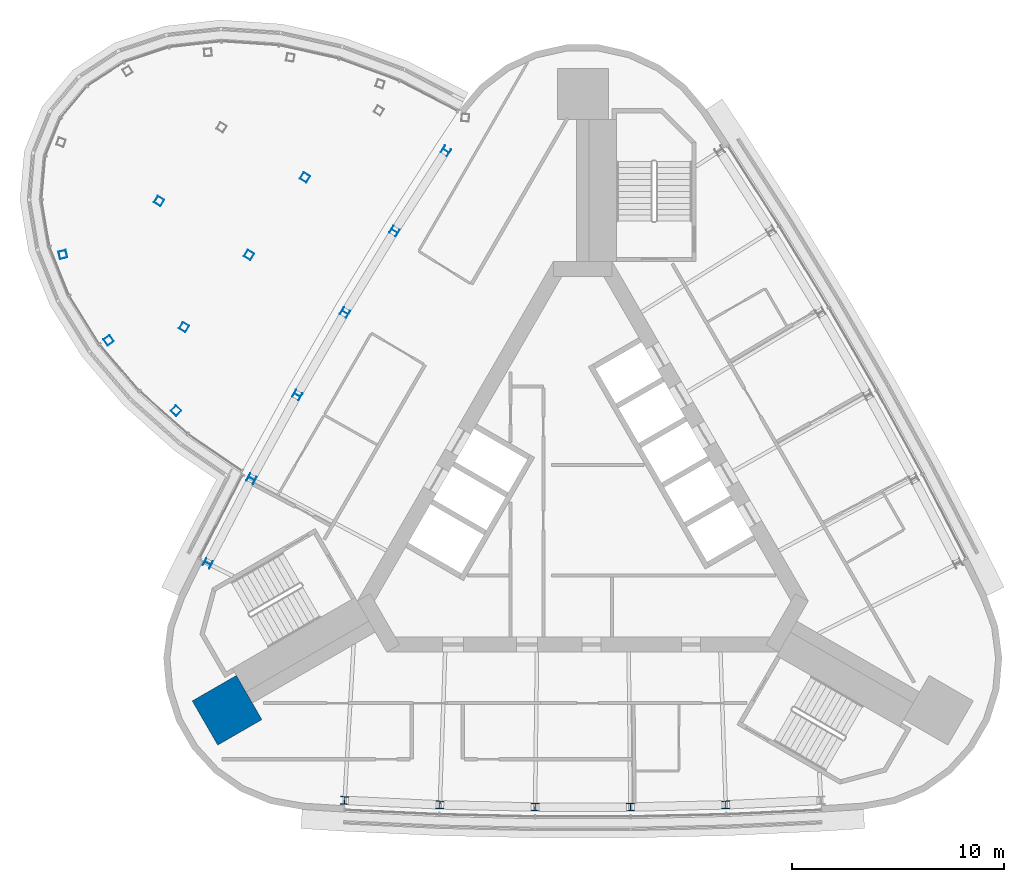
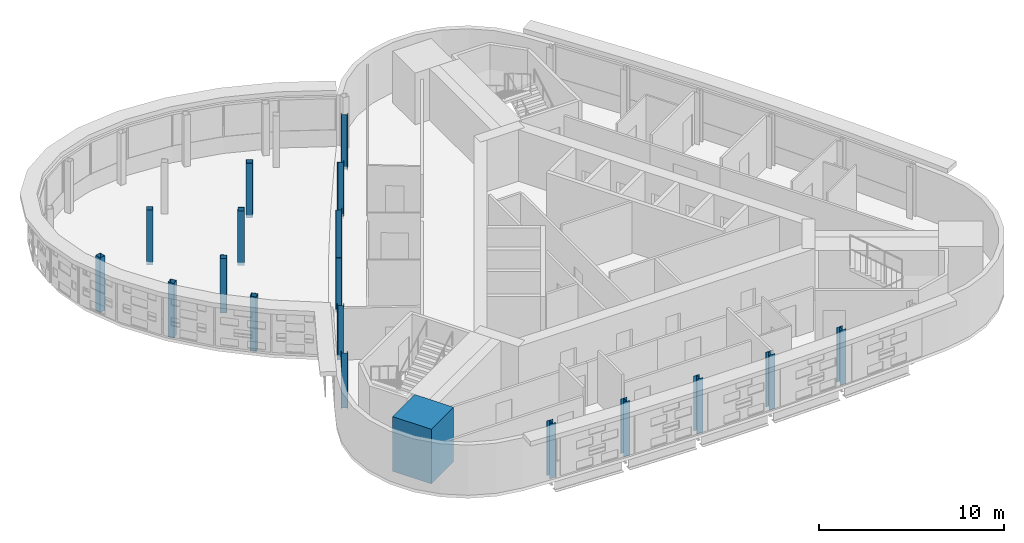
# One storey, part 1 of 13: 19 columns.
"""IFC4 building model written with IfcOpenShell, lengths in metres."""

from ifc_helpers import new_model, si_unit, direction, frame, origin, origin_2d, place, context, subcontext, project, spatial, rectangle, hollow_rectangle, i_section, extrude, material, material_profile, profile_set, type_object, element, save


model = new_model("IFC4")

# Units and contexts
model_context = context("Model", 3, precision=1e-05, world=origin(), true_north=direction((0.0, 1.0)))
body_context = subcontext(model_context, "Body", "Model", "MODEL_VIEW")
ifc_project = project(units=[si_unit("LENGTHUNIT", "METRE"), si_unit("AREAUNIT", "SQUARE_METRE"), si_unit("VOLUMEUNIT", "CUBIC_METRE"), si_unit("PLANEANGLEUNIT", "RADIAN"), si_unit("MASSUNIT", "GRAM", prefix="KILO")], contexts=[model_context])

# Site, building, storey
site_placement = place(None, origin())
site = spatial("IfcSite", under=ifc_project, at=site_placement, CompositionType="ELEMENT")
building_placement = place(site_placement, origin())
building = spatial("IfcBuilding", under=site, at=building_placement, Name="Noor Cloister Tower", CompositionType="ELEMENT")
storey_placement = place(building_placement, frame((0.0, 0.0, 263.39990234375)))
storey = spatial("IfcBuildingStorey", under=building, at=storey_placement, Name="L67", CompositionType="ELEMENT", Elevation=263.39990234375)

# Columns
ifc_material_1 = material(Name="Steel ASTM A992 Gr 50", Category="steel")
ifc_material_profile_1 = material_profile(ifc_material_1, i_section(OverallWidth=0.37109375, OverallDepth=0.361083984375, WebThickness=0.01220703125, FlangeThickness=0.019775390625, FilletRadius=0.015380859375, at=origin_2d()), Name="W360x147")
ifc_profile_set_1 = profile_set([ifc_material_profile_1], Name="Steel ASTM A992 Gr 50")
column_type_1 = type_object("IfcColumnType", Name="Column W360x147", PredefinedType="COLUMN", material=ifc_profile_set_1)
for number, where, z_axis, x_axis, name in (
    (1, (-6.441650390625, 16.66552734375, -0.199951171875), (0.0, 0.0, 1.0), (-0.549344612048, -0.835595893488, 0.0), "Column NW 01 L67"),
    (2, (-8.863037109375, 12.8876953125, -0.199951171875), (0.0, 0.0, 1.0), (-0.529819164802, -0.84811063701, 0.0), "Column NW 02 L67"),
    (3, (-11.196044921875, 9.0546875, -0.199951171875), (0.0, 0.0, 1.0), (-0.51000874803, -0.860169214127, 0.0), "Column NW 03 L67"),
    (4, (-13.439697265625, 5.168701171875, -0.199951171875), (0.0, 0.0, 1.0), (-0.489924016972, -0.87176513901, 0.0), "Column NW 04 L67"),
    (5, (-15.592529296875, 1.231689453125, -0.199951171875), (0.0, 0.0, 1.0), (-0.469575774469, -0.882892174635, 0.0), "Column NW 05 L67"),
    (6, (-17.653564453125, -2.75390625, -0.199951171875), (0.0, 0.0, 1.0), (-0.448974965035, -0.893544336209, 0.0), "Column NW 06 L67"),
    (7, (-11.2119140625, -13.911376953125, -0.199951171875), (0.0, 0.0, 1.0), (0.998319577082, -0.057948442721, 0.0), "Column S 01 L67"),
    (8, (-6.7294921875, -14.119384765625, -0.199951171875), (0.0, 0.0, 1.0), (0.999394939271, -0.034781537625, 0.0), "Column S 02 L67"),
    (9, (-2.24365234375, -14.2236328125, -0.199951171875), (0.0, 0.0, 1.0), (0.999932765003, -0.011595924883, 0.0), "Column S 03 L67"),
    (10, (2.24365234375, -14.2236328125, -0.199951171875), (0.0, 0.0, 1.0), (0.999932765003, 0.011595924883, 0.0), "Column S 04 L67"),
    (11, (6.7294921875, -14.119384765625, -0.199951171875), (0.0, 0.0, 1.0), (0.999394939271, 0.034781537625, 0.0), "Column S 05 L67"),
):
    element("IfcColumn", number, at=place(storey_placement, frame(where, z_axis=z_axis, x_axis=x_axis)), inside=storey, type_object=column_type_1, Name=name, PredefinedType="COLUMN", context=body_context, shape_type="SweptSolid", body=[
        extrude(i_section(OverallWidth=0.37109375, OverallDepth=0.361083984375, WebThickness=0.01220703125, FlangeThickness=0.019775390625, FilletRadius=0.015380859375, at=origin_2d()), origin(), (0.0, 0.0, 1.0), 3.60009765625),
    ])
ifc_material_2 = material(Name="Concrete C60/75", Category="concrete")
ifc_material_profile_2 = material_profile(ifc_material_2, rectangle(XDim=2.39990234375, YDim=2.39990234375, at=origin_2d()), Name="RC 2400x2400")
ifc_profile_set_2 = profile_set([ifc_material_profile_2], Name="Concrete C60/75")
column_type_2 = type_object("IfcColumnType", Name="Corner pier 2400 x 2400 C60/75", PredefinedType="COLUMN", material=ifc_profile_set_2)
column_placement = place(storey_placement, frame((-16.74462890625, -9.66748046875, -0.199951171875), z_axis=(0.0, 0.0, 1.0), x_axis=(-0.866025403784, -0.5, 0.0)))
element("IfcColumn", 12, at=column_placement, inside=storey, type_object=column_type_2, Name="Corner pier SW L67", PredefinedType="COLUMN", context=body_context, shape_type="SweptSolid", body=[
    extrude(rectangle(XDim=2.39990234375, YDim=2.39990234375, at=origin_2d()), origin(), (0.0, 0.0, 1.0), 3.60009765625),
])
ifc_material_3 = material(Name="Steel ASTM A500 Gr C", Category="steel")
ifc_material_profile_3 = material_profile(ifc_material_3, hollow_rectangle(XDim=0.35595703125, YDim=0.35595703125, WallThickness=0.0126953125, at=origin_2d()), Name="HSS355.6x355.6x12.7")
ifc_profile_set_3 = profile_set([ifc_material_profile_3], Name="Steel ASTM A500 Gr C")
column_type_3 = type_object("IfcColumnType", Name="Pod post HSS355.6x355.6x12.7", PredefinedType="COLUMN", material=ifc_profile_set_3)
for number, where, z_axis, x_axis, name in (
    (13, (-13.078125, 15.416015625, -0.199951171875), (0.0, 0.0, 1.0), (-0.857566798966, 0.514372613299, 0.0), "Pod post 5 L67 line 2 node 1"),
    (14, (-15.7119140625, 11.763427734375, -0.199951171875), (0.0, 0.0, 1.0), (-0.857566798966, 0.514372613299, 0.0), "Pod post 5 L67 line 3 node 1"),
    (15, (-19.94140625, 14.30029296875, -0.199951171875), (0.0, 0.0, 1.0), (-0.857566798966, 0.514372613299, 0.0), "Pod post 5 L67 line 3 node 2"),
    (16, (-18.767578125, 8.364501953125, -0.199951171875), (0.0, 0.0, 1.0), (-0.857566798966, 0.514372613299, 0.0), "Pod post 5 L67 line 4 node 1"),
    (17, (-24.47216796875, 11.7861328125, -0.199951171875), (0.0, 0.0, 1.0), (0.233734517984, -0.972300455159, 0.0), "Pod post 5 L67 ring 8"),
    (18, (-22.318603515625, 7.746826171875, -0.199951171875), (0.0, 0.0, 1.0), (0.586560041974, -0.809905745849, 0.0), "Pod post 5 L67 ring 9"),
    (19, (-19.146728515625, 4.432861328125, -0.199951171875), (0.0, 0.0, 1.0), (0.71780948833, -0.696239569734, 0.0), "Pod post 5 L67 ring 10"),
):
    element("IfcColumn", number, at=place(storey_placement, frame(where, z_axis=z_axis, x_axis=x_axis)), inside=storey, type_object=column_type_3, Name=name, PredefinedType="COLUMN", context=body_context, shape_type="SweptSolid", body=[
        extrude(hollow_rectangle(XDim=0.35595703125, YDim=0.35595703125, WallThickness=0.0126953125, at=origin_2d()), origin(), (0.0, 0.0, 1.0), 3.60009765625),
    ])

save(model, "model.ifc")
